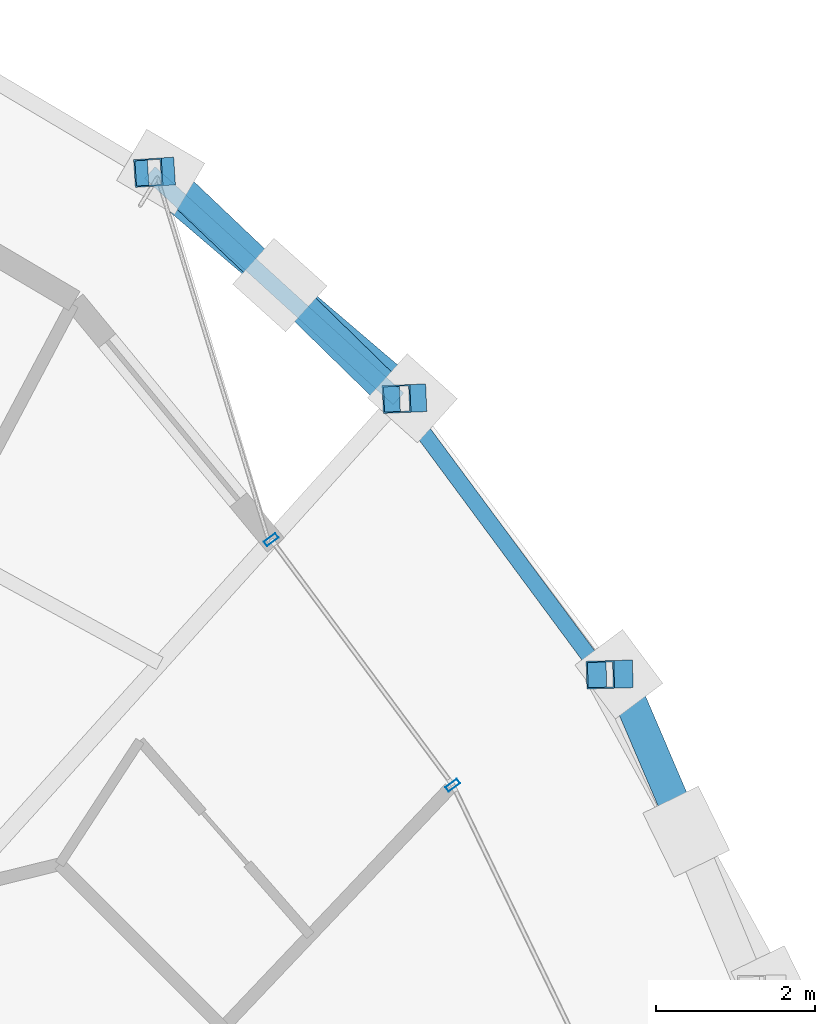
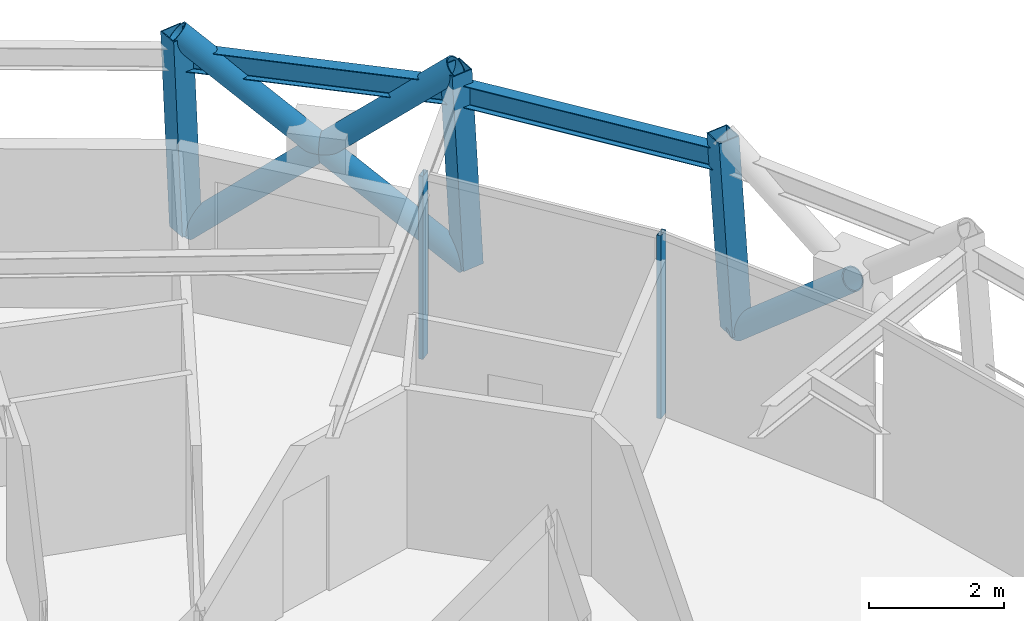
# One storey, part 8 of 15: 9 members, 2 beams, 1 element without a shape of its own.
"""IFC4 building model written with IfcOpenShell, lengths in metres."""

from ifc_helpers import new_model, si_unit, direction, frame, origin, origin_2d, place, context, subcontext, project, spatial, hollow_rectangle, hollow_circle, i_section, extrude, material, layer, layer_set, material_profile, profile_set, type_object, element, aggregate, save


model = new_model("IFC4")

# Units and contexts
model_context = context("Model", 3, precision=1e-05, world=origin(), true_north=direction((0.0, 1.0)))
body_context = subcontext(model_context, "Body", "Model", "MODEL_VIEW")
ifc_project = project(units=[si_unit("LENGTHUNIT", "METRE"), si_unit("AREAUNIT", "SQUARE_METRE"), si_unit("VOLUMEUNIT", "CUBIC_METRE"), si_unit("PLANEANGLEUNIT", "RADIAN"), si_unit("MASSUNIT", "GRAM", prefix="KILO")], contexts=[model_context])

# Site, building, storey
site_placement = place(None, origin())
site = spatial("IfcSite", under=ifc_project, at=site_placement, CompositionType="ELEMENT")
building_placement = place(site_placement, origin())
building = spatial("IfcBuilding", under=site, at=building_placement, Name="Veldorina Hangang Commons", CompositionType="ELEMENT")
storey_placement = place(building_placement, frame((0.0, 0.0, 276.0)))
storey = spatial("IfcBuildingStorey", under=building, at=storey_placement, Name="L72", CompositionType="ELEMENT", Elevation=276.0)

# Beams
ifc_material_1 = material(Name="Steel SM355-TMC", Category="steel")
ifc_material_profile_1 = material_profile(ifc_material_1, i_section(OverallWidth=0.199951171875, OverallDepth=0.39990234375, WebThickness=0.008056640625, FlangeThickness=0.012939453125, FilletRadius=0.012939453125, at=origin_2d()), Name="H-400x200x8x13")
ifc_profile_set_1 = profile_set([ifc_material_profile_1], Name="Steel SM355-TMC")
beam_type = type_object("IfcBeamType", Name="BM-RB400", PredefinedType="BEAM", material=ifc_profile_set_1)
beam_1_placement = place(storey_placement, frame((49.21728515625, 36.757080078125, 3.159912109375), z_axis=(-0.594871429279, 0.803820864762, 0.0), x_axis=(-0.803820864762, -0.594871429279, 0.0)))
element("IfcBeam", 1, at=beam_1_placement, inside=storey, type_object=beam_type, Name="L72 perimeter hoop ring beam 03", PredefinedType="BEAM", context=body_context, shape_type="SweptSolid", body=[
    extrude(i_section(OverallWidth=0.199951171875, OverallDepth=0.39990234375, WebThickness=0.008056640625, FlangeThickness=0.012939453125, FilletRadius=0.012939453125, at=origin_2d()), origin(), (0.0, 0.0, 1.0), 4.3291015625),
])
beam_2_placement = place(storey_placement, frame((46.64208984375, 40.23681640625, 3.159912109375), z_axis=(-0.739585839401, 0.673062245381, 0.0), x_axis=(-0.673062245381, -0.739585839401, 0.0)))
element("IfcBeam", 2, at=beam_2_placement, inside=storey, type_object=beam_type, Name="L72 perimeter hoop ring beam 04", PredefinedType="BEAM", context=body_context, shape_type="SweptSolid", body=[
    extrude(i_section(OverallWidth=0.199951171875, OverallDepth=0.39990234375, WebThickness=0.008056640625, FlangeThickness=0.012939453125, FilletRadius=0.012939453125, at=origin_2d()), origin(), (0.0, 0.0, 1.0), 4.242431640625),
])

# Curtain wall, members
ifc_material_2 = material(Name="Glass Low-E Selective", Category="glass")
ifc_layer = layer(ifc_material_2, 0.179931640625)
ifc_layer_set = layer_set([ifc_layer], Name="Glass Low-E Selective")
curtain_wall_type = type_object("IfcCurtainWallType", Name="CW-SYS-Z3", PredefinedType="NOTDEFINED", material=ifc_layer_set)
curtain_wall_placement = place(storey_placement, origin())
curtain_wall = element("IfcCurtainWall", 3, at=curtain_wall_placement, inside=storey, type_object=curtain_wall_type, Name="L72 unitised curtain wall CW-L72-R2", PredefinedType="NOTDEFINED")
ifc_material_3 = material(Name="Aluminium Anodized AA6063-T6", Category="aluminium")
ifc_material_profile_2 = material_profile(ifc_material_3, hollow_rectangle(XDim=0.070068359375, YDim=0.179931640625, WallThickness=0.00390625, at=origin_2d()), Name="ALU-RHS-180x70x4")
ifc_profile_set_2 = profile_set([ifc_material_profile_2], Name="Aluminium Anodized AA6063-T6")
member_type_1 = type_object("IfcMemberType", Name="CW-MUL-180", PredefinedType="MULLION", material=ifc_profile_set_2)
member_1_placement = place(storey_placement, frame((47.328125, 35.36279296875, 0.0), z_axis=(0.0, 0.0, 1.0), x_axis=(-0.594710541362, 0.80393990571, 0.0)))
member_1 = element("IfcMember", 4, at=member_1_placement, type_object=member_type_1, Name="CW-L72-R2 vertical mullion 4", PredefinedType="MULLION", context=body_context, shape_type="SweptSolid", body=[
    extrude(hollow_rectangle(XDim=0.070068359375, YDim=0.179931640625, WallThickness=0.00390625, at=origin_2d()), origin(), (0.0, 0.0, 1.0), 3.320068359375),
])
member_2_placement = place(storey_placement, frame((45.035400390625, 38.462158203125, 0.0), z_axis=(0.0, 0.0, 1.0), x_axis=(0.594710541362, -0.80393990571, 0.0)))
member_2 = element("IfcMember", 5, at=member_2_placement, type_object=member_type_1, Name="CW-L72-R2 vertical mullion 5", PredefinedType="MULLION", context=body_context, shape_type="SweptSolid", body=[
    extrude(hollow_rectangle(XDim=0.070068359375, YDim=0.179931640625, WallThickness=0.00390625, at=origin_2d()), origin(), (0.0, 0.0, 1.0), 3.320068359375),
])
aggregate(curtain_wall, [member_1, member_2])

# Members
ifc_material_profile_3 = material_profile(ifc_material_1, hollow_circle(Radius=0.199951171875, WallThickness=0.02001953125, at=origin_2d()), Name="CHS-400x20")
ifc_profile_set_3 = profile_set([ifc_material_profile_3], Name="Steel SM355-TMC")
member_type_2 = type_object("IfcMemberType", Name="DG-CHS400", PredefinedType="BRACE", material=ifc_profile_set_3)
member_3_placement = place(storey_placement, frame((49.42333984375, 36.762939453125, 0.0), z_axis=(0.301870318793, -0.705954847285, 0.640704350092), x_axis=(0.919466223753, 0.393169001037, 0.0)))
element("IfcMember", 6, at=member_3_placement, inside=storey, type_object=member_type_2, Name="L72 split perimeter diagrid lower brace 03", PredefinedType="BRACE", context=body_context, shape_type="SweptSolid", body=[
    extrude(hollow_circle(Radius=0.199951171875, WallThickness=0.02001953125, at=origin_2d()), origin(), (0.0, 0.0, 1.0), 2.813720703125),
])
member_4_placement = place(storey_placement, frame((46.8173828125, 40.244140625, 0.0), z_axis=(-0.587512519948, 0.501940324941, 0.634732186912), x_axis=(-0.649565691438, -0.760305473153, 0.0)))
element("IfcMember", 7, at=member_4_placement, inside=storey, type_object=member_type_2, Name="L72 continuous perimeter diagrid brace 04", PredefinedType="BRACE", context=body_context, shape_type="SweptSolid", body=[
    extrude(hollow_circle(Radius=0.199951171875, WallThickness=0.02001953125, at=origin_2d()), origin(), (0.0, 0.0, 1.0), 5.671875),
])
member_5_placement = place(storey_placement, frame((43.641845703125, 43.10107421875, 0.0), z_axis=(0.546510750482, -0.519256234498, 0.657038022144), x_axis=(0.688798979802, 0.724952388384, 0.0)))
element("IfcMember", 8, at=member_5_placement, inside=storey, type_object=member_type_2, Name="L72 split perimeter diagrid lower brace 05", PredefinedType="BRACE", context=body_context, shape_type="SweptSolid", body=[
    extrude(hollow_circle(Radius=0.199951171875, WallThickness=0.02001953125, at=origin_2d()), origin(), (0.0, 0.0, 1.0), 2.75),
])
member_6_placement = place(storey_placement, frame((45.144775390625, 41.673095703125, 1.806884765625), z_axis=(0.53963968265, -0.526582441406, 0.65688655437), x_axis=(0.698394994903, 0.715712533839, 0.0)))
element("IfcMember", 9, at=member_6_placement, inside=storey, type_object=member_type_2, Name="L72 split perimeter diagrid upper brace 05", PredefinedType="BRACE", context=body_context, shape_type="SweptSolid", body=[
    extrude(hollow_circle(Radius=0.199951171875, WallThickness=0.02001953125, at=origin_2d()), origin(), (0.0, 0.0, 1.0), 2.72998046875),
])
ifc_material_profile_4 = material_profile(ifc_material_1, hollow_rectangle(XDim=0.35009765625, YDim=0.35009765625, WallThickness=0.01611328125, at=origin_2d()), Name="SHS-350x350x16")
ifc_profile_set_4 = profile_set([ifc_material_profile_4], Name="Steel SM355-TMC")
member_type_3 = type_object("IfcMemberType", Name="STR-SHS350", PredefinedType="STRUT", material=ifc_profile_set_4)
member_7_placement = place(storey_placement, frame((49.42333984375, 36.762939453125, 0.0), z_axis=(-0.065032144123, -0.001894797123, 0.997881370692), x_axis=(0.029123956933, -0.999575807597, 0.0)))
element("IfcMember", 10, at=member_7_placement, inside=storey, type_object=member_type_3, Name="L72 perimeter ring node post 03", PredefinedType="STRUT", context=body_context, shape_type="SweptSolid", body=[
    extrude(hollow_rectangle(XDim=0.35009765625, YDim=0.35009765625, WallThickness=0.01611328125, at=origin_2d()), origin(), (0.0, 0.0, 1.0), 3.607666015625),
])
member_8_placement = place(storey_placement, frame((46.8173828125, 40.244140625, 0.0), z_axis=(-0.055319857399, -0.002369883732, 0.998465871739), x_axis=(0.042800400862, -0.999083642988, 0.0)))
element("IfcMember", 11, at=member_8_placement, inside=storey, type_object=member_type_3, Name="L72 perimeter ring node post 04", PredefinedType="STRUT", context=body_context, shape_type="SweptSolid", body=[
    extrude(hollow_rectangle(XDim=0.35009765625, YDim=0.35009765625, WallThickness=0.01611328125, at=origin_2d()), origin(), (0.0, 0.0, 1.0), 3.605712890625),
])
member_9_placement = place(storey_placement, frame((43.641845703125, 43.10107421875, 0.0), z_axis=(-0.043495858992, -0.002777772926, 0.999049745622), x_axis=(0.063733093725, -0.997966979797, 0.0)))
element("IfcMember", 12, at=member_9_placement, inside=storey, type_object=member_type_3, Name="L72 perimeter ring node post 05", PredefinedType="STRUT", context=body_context, shape_type="SweptSolid", body=[
    extrude(hollow_rectangle(XDim=0.35009765625, YDim=0.35009765625, WallThickness=0.01611328125, at=origin_2d()), origin(), (0.0, 0.0, 1.0), 3.603515625),
])

save(model, "model.ifc")
